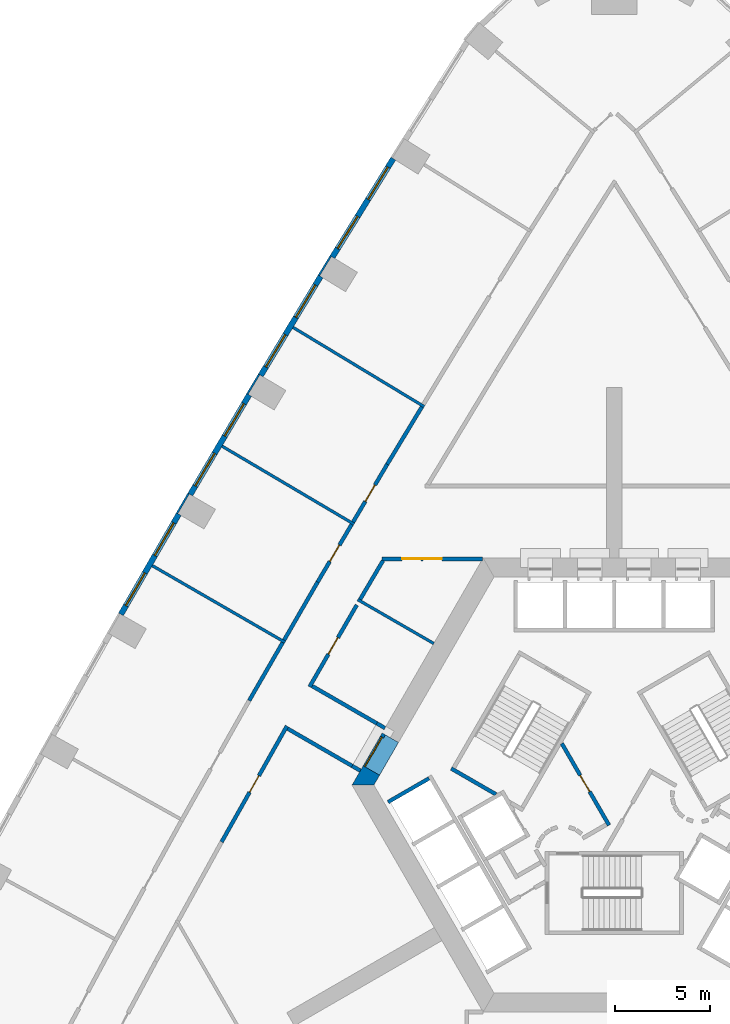
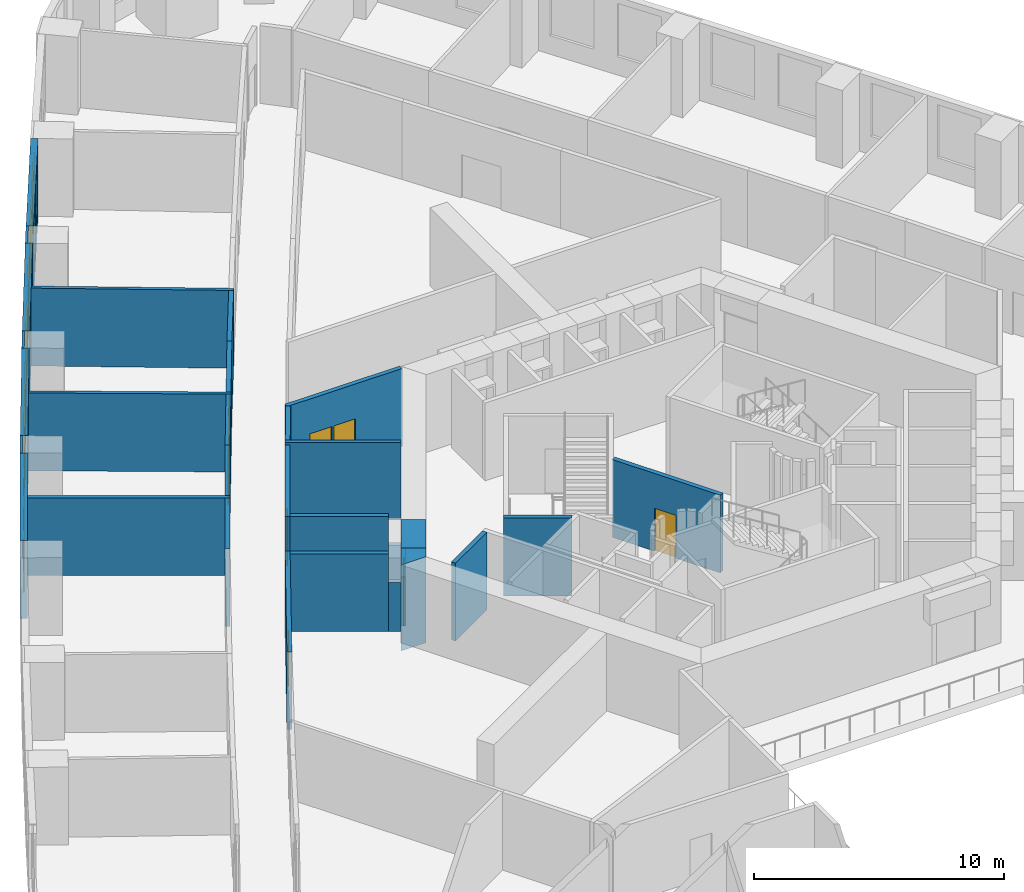
# One storey, part 8 of 15: 30 walls, 8 doors, 8 windows, 16 openings.
"""IFC4 building model written with IfcOpenShell, lengths in metres."""

from ifc_helpers import new_model, si_unit, direction, frame, frame_2d, origin, place, context, subcontext, project, spatial, polyline, rectangle, outline, extrude, material, layer, layer_set, type_object, element, fill, save


model = new_model("IFC4")

# Units and contexts
model_context = context("Model", 3, precision=1e-05, world=origin(), true_north=direction((0.0, 1.0)))
body_context = subcontext(model_context, "Body", "Model", "MODEL_VIEW")
ifc_project = project(units=[si_unit("LENGTHUNIT", "METRE"), si_unit("AREAUNIT", "SQUARE_METRE"), si_unit("VOLUMEUNIT", "CUBIC_METRE"), si_unit("PLANEANGLEUNIT", "RADIAN"), si_unit("MASSUNIT", "GRAM", prefix="KILO")], contexts=[model_context])

# Site, building, storey
site_placement = place(None, origin())
site = spatial("IfcSite", under=ifc_project, at=site_placement, CompositionType="ELEMENT")
building_placement = place(site_placement, origin())
building = spatial("IfcBuilding", under=site, at=building_placement, Name="Entoto Arch Interchange Tower", CompositionType="ELEMENT")
storey_placement = place(building_placement, frame((0.0, 0.0, 39.199951171875)))
storey = spatial("IfcBuildingStorey", under=building, at=storey_placement, Name="L07", CompositionType="ELEMENT", Elevation=39.199951171875)

# Wall, opening, door
ifc_material_1 = material(Name="Reinforced concrete C40/50", Category="concrete")
ifc_layer_1 = layer(ifc_material_1, 0.199951171875)
ifc_layer_set_1 = layer_set([ifc_layer_1], Name="Reinforced concrete C40/50")
wall_type_1 = type_object("IfcWallType", Name="CORE GAP INFILL WALL", PredefinedType="PARTITIONING", material=ifc_layer_set_1)
wall_1_placement = place(storey_placement, frame((-12.179931640625, 5.201904296875, 0.0), z_axis=(0.0, 0.0, 1.0), x_axis=(-0.50002537861, -0.866010750942, 0.0)))
wall_1 = element("IfcWall", 1, at=wall_1_placement, inside=storey, type_object=wall_type_1, Name="wall:L07:gap3", PredefinedType="PARTITIONING", context=body_context, shape_type="SweptSolid", body=[
    extrude(rectangle(XDim=2.0, YDim=0.199951171875, at=frame_2d((1.0, 0.0))), origin(), (0.0, 0.0, 1.0), 2.400146484375),
])
opening_1_placement = place(wall_1_placement, frame((0.18994140625, 0.0, 0.0)))
opening_1 = element("IfcOpeningElement", 2, at=opening_1_placement, cuts=wall_1, Name="Opening L07-D93", PredefinedType="OPENING", context=body_context, shape_type="SweptSolid", body=[
    extrude(rectangle(XDim=1.800048828125, YDim=2.10009765625, at=frame_2d((0.89990234375, 1.050048828125))), frame((0.0, 0.10986328125, 0.0), z_axis=(0.0, -1.0, 0.0), x_axis=(1.0, 0.0, 0.0)), (0.0, 0.0, 1.0), 0.219970703125),
])
ifc_material_2 = material(Name="Fire-rated Steel S235 door and frame", Category="steel")
door_type_1 = type_object("IfcDoorType", Name="DOOR FD-18 1800x2100", OperationType="DOUBLE_DOOR_SINGLE_SWING", PredefinedType="DOOR", material=ifc_material_2)
door_1_placement = place(opening_1_placement, origin())
door_1 = element("IfcDoor", 3, at=door_1_placement, inside=storey, type_object=door_type_1, Name="door:L07:gap3", OperationType="DOUBLE_DOOR_SINGLE_SWING", OverallHeight=2.10009765625, OverallWidth=1.800048828125, PredefinedType="DOOR", context=body_context, shape_type="SweptSolid", body=[
    extrude(rectangle(XDim=1.800048828125, YDim=2.10009765625, at=frame_2d((0.89990234375, 1.050048828125))), frame((0.0, 0.02490234375, 0.0), z_axis=(0.0, -1.0, 0.0), x_axis=(1.0, 0.0, 0.0)), (0.0, 0.0, 1.0), 0.050048828125),
])
fill(opening_1, door_1)

# Walls
ifc_material_3 = material(Name="Concrete C60/75", Category="concrete")
ifc_layer_2 = layer(ifc_material_3, 1.0)
ifc_layer_set_2 = layer_set([ifc_layer_2], Name="Concrete C60/75")
wall_type_2 = type_object("IfcWallType", Name="Core wall 1000 C60/75", PredefinedType="SHEAR", material=ifc_layer_set_2)
wall_2_placement = place(storey_placement, frame((0.0, 0.0, -0.39990234375)))
element("IfcWall", 4, at=wall_2_placement, inside=storey, type_object=wall_type_2, Name="Core wall NW L07", PredefinedType="SHEAR", context=body_context, shape_type="SweptSolid", body=[
    extrude(outline(polyline([(-12.402099609375, 3.02001953125), (-13.26708984375, 3.52001953125), (-13.85595703125, 2.5), (-12.701904296875, 2.5), (-12.402099609375, 3.02001953125)])), origin(), (0.0, 0.0, 1.0), 4.199951171875),
])
wall_3_placement = place(storey_placement, frame((0.0, 0.0, 3.60009765625)))
element("IfcWall", 5, at=wall_3_placement, inside=storey, type_object=wall_type_2, Name="Core wall lintel NW L07", PredefinedType="SHEAR", context=body_context, shape_type="SweptSolid", body=[
    extrude(outline(polyline([(-13.26708984375, 3.52001953125), (-12.402099609375, 3.02001953125), (-11.402099609375, 4.751953125), (-12.26708984375, 5.251953125), (-13.26708984375, 3.52001953125)])), origin(), (0.0, 0.0, 1.0), 0.199951171875),
])
ifc_material_4 = material(Name="Concrete C40/50", Category="concrete")
ifc_layer_3 = layer(ifc_material_4, 0.199951171875)
ifc_layer_set_3 = layer_set([ifc_layer_3], Name="Concrete C40/50")
wall_type_3 = type_object("IfcWallType", Name="LIFT SHAFT WALL 200", PredefinedType="STANDARD", material=ifc_layer_set_3)
wall_4_placement = place(storey_placement, frame((-9.7880859375, 2.85302734375, 0.0), z_axis=(0.0, 0.0, 1.0), x_axis=(-0.865998541277, -0.500046524342, 0.0)))
element("IfcWall", 6, at=wall_4_placement, inside=storey, type_object=wall_type_3, Name="Shaft wall SW3 cross 1", PredefinedType="STANDARD", context=body_context, shape_type="SweptSolid", body=[
    extrude(rectangle(XDim=2.499755859375, YDim=0.199951171875, at=frame_2d((1.25, 0.0))), origin(), (0.0, 0.0, 1.0), 3.800048828125),
])
ifc_material_5 = material(Name="Gypsum board partition on steel studs", Category="steel")
ifc_layer_4 = layer(ifc_material_5, 0.14990234375)
ifc_layer_set_4 = layer_set([ifc_layer_4], Name="Gypsum board partition on steel studs")
wall_type_4 = type_object("IfcWallType", Name="PARTITION 150", PredefinedType="PARTITIONING", material=ifc_layer_set_4)
wall_5_placement = place(storey_placement, frame((-13.553955078125, 12.300048828125, 0.0), z_axis=(0.0, 0.0, 1.0), x_axis=(0.866028685375, -0.499994316075, 0.0)))
element("IfcWall", 7, at=wall_5_placement, inside=storey, type_object=wall_type_4, Name="wall:L07:p084", PredefinedType="PARTITIONING", context=body_context, shape_type="SweptSolid", body=[
    extrude(rectangle(XDim=4.63818359375, YDim=0.14990234375, at=frame_2d((2.319091796875, 0.0))), origin(), (0.0, 0.0, 1.0), 3.800048828125),
])
wall_6_placement = place(storey_placement, frame((-10.0419921875, 22.4970703125, 0.0), z_axis=(0.0, 0.0, 1.0), x_axis=(-0.855818252, 0.517276637346, 0.0)))
element("IfcWall", 8, at=wall_6_placement, inside=storey, type_object=wall_type_4, Name="wall:L07:p138", PredefinedType="PARTITIONING", context=body_context, shape_type="SweptSolid", body=[
    extrude(rectangle(XDim=8.10009765625, YDim=0.14990234375, at=frame_2d((4.050048828125, 0.0))), origin(), (0.0, 0.0, 1.0), 3.800048828125),
])
wall_7_placement = place(storey_placement, frame((-13.751953125, 16.2890625, 0.0), z_axis=(0.0, 0.0, 1.0), x_axis=(-0.86093852802, 0.508709004216, 0.0)))
element("IfcWall", 9, at=wall_7_placement, inside=storey, type_object=wall_type_4, Name="wall:L07:p139", PredefinedType="PARTITIONING", context=body_context, shape_type="SweptSolid", body=[
    extrude(rectangle(XDim=8.1005859375, YDim=0.14990234375, at=frame_2d((4.05029296875, 0.0))), origin(), (0.0, 0.0, 1.0), 3.800048828125),
])
wall_8_placement = place(storey_placement, frame((-17.39892578125, 10.044921875, 0.0), z_axis=(0.0, 0.0, 1.0), x_axis=(-0.865980803489, 0.500077242023, 0.0)))
element("IfcWall", 10, at=wall_8_placement, inside=storey, type_object=wall_type_4, Name="wall:L07:p140", PredefinedType="PARTITIONING", context=body_context, shape_type="SweptSolid", body=[
    extrude(rectangle(XDim=8.100830078125, YDim=0.14990234375, at=frame_2d((4.05029296875, 0.0))), origin(), (0.0, 0.0, 1.0), 3.800048828125),
])

# Wall, opening, door
ifc_layer_5 = layer(ifc_material_5, 0.199951171875)
ifc_layer_set_5 = layer_set([ifc_layer_5], Name="Gypsum board partition on steel studs")
wall_type_5 = type_object("IfcWallType", Name="PARTITION 200", PredefinedType="PARTITIONING", material=ifc_layer_set_5)
wall_9_placement = place(storey_placement, frame((-13.60595703125, 12.01611328125, 0.0), z_axis=(0.0, 0.0, 1.0), x_axis=(-0.499992180995, -0.866029918042, 0.0)))
wall_9 = element("IfcWall", 11, at=wall_9_placement, inside=storey, type_object=wall_type_5, Name="wall:L07:p001", PredefinedType="PARTITIONING", context=body_context, shape_type="SweptSolid", body=[
    extrude(rectangle(XDim=4.98828125, YDim=0.199951171875, at=frame_2d((2.494140625, 0.0))), origin(), (0.0, 0.0, 1.0), 3.800048828125),
])
opening_2_placement = place(wall_9_placement, frame((1.993896484375, 0.0, 0.0)))
opening_2 = element("IfcOpeningElement", 12, at=opening_2_placement, cuts=wall_9, Name="Opening L07-D34", PredefinedType="OPENING", context=body_context, shape_type="SweptSolid", body=[
    extrude(rectangle(XDim=1.0, YDim=2.10009765625, at=frame_2d((0.5, 1.050048828125))), frame((0.0, 0.10986328125, 0.0), z_axis=(0.0, -1.0, 0.0), x_axis=(1.0, 0.0, 0.0)), (0.0, 0.0, 1.0), 0.219970703125),
])
ifc_material_6 = material(Name="Timber door leaf in Steel S235 frame", Category="steel")
door_type_2 = type_object("IfcDoorType", Name="DOOR DS-10 1000x2100", OperationType="SINGLE_SWING_LEFT", PredefinedType="DOOR", material=ifc_material_6)
door_2_placement = place(opening_2_placement, origin())
door_2 = element("IfcDoor", 13, at=door_2_placement, inside=storey, type_object=door_type_2, Name="door:L07:34", OperationType="SINGLE_SWING_LEFT", OverallHeight=2.10009765625, OverallWidth=1.0, PredefinedType="DOOR", context=body_context, shape_type="SweptSolid", body=[
    extrude(rectangle(XDim=1.0, YDim=2.10009765625, at=frame_2d((0.5, 1.050048828125))), frame((0.0, 0.02490234375, 0.0), z_axis=(0.0, -1.0, 0.0), x_axis=(1.0, 0.0, 0.0)), (0.0, 0.0, 1.0), 0.050048828125),
])
fill(opening_2, door_2)

# Walls
wall_10_placement = place(storey_placement, frame((-15.962890625, 7.73291015625, 0.0), z_axis=(0.0, 0.0, 1.0), x_axis=(0.865965832374, -0.500103166518, 0.0)))
element("IfcWall", 14, at=wall_10_placement, inside=storey, type_object=wall_type_5, Name="wall:L07:p002", PredefinedType="PARTITIONING", context=body_context, shape_type="SweptSolid", body=[
    extrude(rectangle(XDim=3.941162109375, YDim=0.199951171875, at=frame_2d((1.970703125, 0.0))), origin(), (0.0, 0.0, 1.0), 3.800048828125),
])
wall_11_placement = place(storey_placement, frame((-12.218017578125, 14.364013671875, 0.0), z_axis=(0.0, 0.0, 1.0), x_axis=(-0.508767325294, -0.860904064756, 0.0)))
element("IfcWall", 15, at=wall_11_placement, inside=storey, type_object=wall_type_5, Name="wall:L07:p003", PredefinedType="PARTITIONING", context=body_context, shape_type="SweptSolid", body=[
    extrude(rectangle(XDim=2.380126953125, YDim=0.199951171875, at=frame_2d((1.18994140625, 0.0))), origin(), (0.0, 0.0, 1.0), 3.800048828125),
])
wall_12_placement = place(storey_placement, frame((-17.260986328125, 5.47998046875, 0.0), z_axis=(0.0, 0.0, 1.0), x_axis=(0.865949187497, -0.500131987253, 0.0)))
element("IfcWall", 16, at=wall_12_placement, inside=storey, type_object=wall_type_5, Name="wall:L07:p025", PredefinedType="PARTITIONING", context=body_context, shape_type="SweptSolid", body=[
    extrude(rectangle(XDim=3.93896484375, YDim=0.199951171875, at=frame_2d((1.969482421875, 0.0))), origin(), (0.0, 0.0, 1.0), 3.800048828125),
])

# Wall, opening, door
wall_13_placement = place(storey_placement, frame((-17.299072265625, 5.616943359375, 0.0), z_axis=(0.0, 0.0, 1.0), x_axis=(-0.491166441632, -0.871065741844, 0.0)))
wall_13 = element("IfcWall", 17, at=wall_13_placement, inside=storey, type_object=wall_type_5, Name="wall:L07:p026", PredefinedType="PARTITIONING", context=body_context, shape_type="SweptSolid", body=[
    extrude(rectangle(XDim=7.028076171875, YDim=0.199951171875, at=frame_2d((3.51416015625, 0.0))), origin(), (0.0, 0.0, 1.0), 3.800048828125),
])
opening_3_placement = place(wall_13_placement, frame((3.013916015625, 0.0, 0.0)))
opening_3 = element("IfcOpeningElement", 18, at=opening_3_placement, cuts=wall_13, Name="Opening L07-D30", PredefinedType="OPENING", context=body_context, shape_type="SweptSolid", body=[
    extrude(rectangle(XDim=1.0, YDim=2.10009765625, at=frame_2d((0.5, 1.050048828125))), frame((0.0, 0.10986328125, 0.0), z_axis=(0.0, -1.0, 0.0), x_axis=(1.0, 0.0, 0.0)), (0.0, 0.0, 1.0), 0.219970703125),
])
door_3_placement = place(opening_3_placement, origin())
door_3 = element("IfcDoor", 19, at=door_3_placement, inside=storey, type_object=door_type_2, Name="door:L07:30", OperationType="SINGLE_SWING_RIGHT", OverallHeight=2.10009765625, OverallWidth=1.0, PredefinedType="DOOR", context=body_context, shape_type="SweptSolid", body=[
    extrude(rectangle(XDim=1.0, YDim=2.10009765625, at=frame_2d((0.5, 1.050048828125))), frame((0.0, 0.02490234375, 0.0), z_axis=(0.0, -1.0, 0.0), x_axis=(1.0, 0.0, 0.0)), (0.0, 0.0, 1.0), 0.050048828125),
])
fill(opening_3, door_3)

wall_14_placement = place(storey_placement, frame((-13.800048828125, 16.404052734375, 0.0), z_axis=(0.0, 0.0, 1.0), x_axis=(0.508666621784, 0.860963569428, 0.0)))
wall_14 = element("IfcWall", 20, at=wall_14_placement, inside=storey, type_object=wall_type_5, Name="wall:L07:p058", PredefinedType="PARTITIONING", context=body_context, shape_type="SweptSolid", body=[
    extrude(rectangle(XDim=3.54248046875, YDim=0.199951171875, at=frame_2d((1.771240234375, 0.0))), origin(), (0.0, 0.0, 1.0), 3.800048828125),
])
opening_4_placement = place(wall_14_placement, frame((1.27099609375, 0.0, 0.0)))
opening_4 = element("IfcOpeningElement", 21, at=opening_4_placement, cuts=wall_14, Name="Opening L07-D14", PredefinedType="OPENING", context=body_context, shape_type="SweptSolid", body=[
    extrude(rectangle(XDim=1.0, YDim=2.10009765625, at=frame_2d((0.5, 1.050048828125))), frame((0.0, 0.10986328125, 0.0), z_axis=(0.0, -1.0, 0.0), x_axis=(1.0, 0.0, 0.0)), (0.0, 0.0, 1.0), 0.219970703125),
])
door_4_placement = place(opening_4_placement, origin())
door_4 = element("IfcDoor", 22, at=door_4_placement, inside=storey, type_object=door_type_2, Name="door:L07:14", OperationType="SINGLE_SWING_LEFT", OverallHeight=2.10009765625, OverallWidth=1.0, PredefinedType="DOOR", context=body_context, shape_type="SweptSolid", body=[
    extrude(rectangle(XDim=1.0, YDim=2.10009765625, at=frame_2d((0.5, 1.050048828125))), frame((0.0, 0.02490234375, 0.0), z_axis=(0.0, -1.0, 0.0), x_axis=(1.0, 0.0, 0.0)), (0.0, 0.0, 1.0), 0.050048828125),
])
fill(opening_4, door_4)

# Walls
wall_15_placement = place(storey_placement, frame((-11.998046875, 19.4541015625, 0.0), z_axis=(0.0, 0.0, 1.0), x_axis=(0.51707881094, 0.85593779171, 0.0)))
element("IfcWall", 23, at=wall_15_placement, inside=storey, type_object=wall_type_5, Name="wall:L07:p059", PredefinedType="PARTITIONING", context=body_context, shape_type="SweptSolid", body=[
    extrude(rectangle(XDim=3.541259765625, YDim=0.199951171875, at=frame_2d((1.7705078125, 0.0))), origin(), (0.0, 0.0, 1.0), 3.800048828125),
])
wall_16_placement = place(storey_placement, frame((-17.447998046875, 10.159912109375, 0.0), z_axis=(0.0, 0.0, 1.0), x_axis=(0.499951278228, 0.866053531485, 0.0)))
element("IfcWall", 24, at=wall_16_placement, inside=storey, type_object=wall_type_5, Name="wall:L07:p060", PredefinedType="PARTITIONING", context=body_context, shape_type="SweptSolid", body=[
    extrude(rectangle(XDim=3.540283203125, YDim=0.199951171875, at=frame_2d((1.77001953125, 0.0))), origin(), (0.0, 0.0, 1.0), 3.800048828125),
])

# Wall, opening, door
wall_17_placement = place(storey_placement, frame((-15.677978515625, 13.22607421875, 0.0), z_axis=(0.0, 0.0, 1.0), x_axis=(0.508613166028, 0.860995149431, 0.0)))
wall_17 = element("IfcWall", 25, at=wall_17_placement, inside=storey, type_object=wall_type_5, Name="wall:L07:p061", PredefinedType="PARTITIONING", context=body_context, shape_type="SweptSolid", body=[
    extrude(rectangle(XDim=3.541015625, YDim=0.199951171875, at=frame_2d((1.7705078125, 0.0))), origin(), (0.0, 0.0, 1.0), 3.800048828125),
])
opening_5_placement = place(wall_17_placement, frame((1.27099609375, 0.0, 0.0)))
opening_5 = element("IfcOpeningElement", 26, at=opening_5_placement, cuts=wall_17, Name="Opening L07-D15", PredefinedType="OPENING", context=body_context, shape_type="SweptSolid", body=[
    extrude(rectangle(XDim=1.0, YDim=2.10009765625, at=frame_2d((0.5, 1.050048828125))), frame((0.0, 0.10986328125, 0.0), z_axis=(0.0, -1.0, 0.0), x_axis=(1.0, 0.0, 0.0)), (0.0, 0.0, 1.0), 0.219970703125),
])
door_5_placement = place(opening_5_placement, origin())
door_5 = element("IfcDoor", 27, at=door_5_placement, inside=storey, type_object=door_type_2, Name="door:L07:15", OperationType="SINGLE_SWING_LEFT", OverallHeight=2.10009765625, OverallWidth=1.0, PredefinedType="DOOR", context=body_context, shape_type="SweptSolid", body=[
    extrude(rectangle(XDim=1.0, YDim=2.10009765625, at=frame_2d((0.5, 1.050048828125))), frame((0.0, 0.02490234375, 0.0), z_axis=(0.0, -1.0, 0.0), x_axis=(1.0, 0.0, 0.0)), (0.0, 0.0, 1.0), 0.050048828125),
])
fill(opening_5, door_5)

# Wall
wall_18_placement = place(storey_placement, frame((-19.2939453125, 6.964111328125, 0.0), z_axis=(0.0, 0.0, 1.0), x_axis=(0.499861717316, 0.86610522661, 0.0)))
element("IfcWall", 28, at=wall_18_placement, inside=storey, type_object=wall_type_5, Name="wall:L07:p063", PredefinedType="PARTITIONING", context=body_context, shape_type="SweptSolid", body=[
    extrude(rectangle(XDim=3.541015625, YDim=0.199951171875, at=frame_2d((1.7705078125, 0.0))), origin(), (0.0, 0.0, 1.0), 3.800048828125),
])

# Wall, openings, doors
wall_19_placement = place(storey_placement, frame((-6.95703125, 14.449951171875, 0.0), z_axis=(0.0, 0.0, 1.0), x_axis=(-1.0, 0.0, 0.0)))
wall_19 = element("IfcWall", 29, at=wall_19_placement, inside=storey, type_object=wall_type_5, Name="wall:L07:p085", PredefinedType="PARTITIONING", context=body_context, shape_type="SweptSolid", body=[
    extrude(rectangle(XDim=5.31005859375, YDim=0.199951171875, at=frame_2d((2.655029296875, 0.0))), origin(), (0.0, 0.0, 1.0), 3.800048828125),
])
opening_6_placement = place(wall_19_placement, frame((2.155029296875, 0.0, 0.0)))
opening_6 = element("IfcOpeningElement", 30, at=opening_6_placement, cuts=wall_19, Name="Opening L07-D35", PredefinedType="OPENING", context=body_context, shape_type="SweptSolid", body=[
    extrude(rectangle(XDim=1.0, YDim=2.10009765625, at=frame_2d((0.5, 1.050048828125))), frame((0.0, 0.10986328125, 0.0), z_axis=(0.0, -1.0, 0.0), x_axis=(1.0, 0.0, 0.0)), (0.0, 0.0, 1.0), 0.219970703125),
])
opening_7_placement = place(wall_19_placement, frame((3.2548828125, 0.0, 0.0)))
opening_7 = element("IfcOpeningElement", 31, at=opening_7_placement, cuts=wall_19, Name="Opening L07-D43", PredefinedType="OPENING", context=body_context, shape_type="SweptSolid", body=[
    extrude(rectangle(XDim=1.0, YDim=2.10009765625, at=frame_2d((0.5, 1.050048828125))), frame((0.0, 0.10986328125, 0.0), z_axis=(0.0, -1.0, 0.0), x_axis=(1.0, 0.0, 0.0)), (0.0, 0.0, 1.0), 0.219970703125),
])
door_6_placement = place(opening_6_placement, origin())
door_6 = element("IfcDoor", 32, at=door_6_placement, inside=storey, type_object=door_type_2, Name="door:L07:35", OperationType="SINGLE_SWING_LEFT", OverallHeight=2.10009765625, OverallWidth=1.0, PredefinedType="DOOR", context=body_context, shape_type="SweptSolid", body=[
    extrude(rectangle(XDim=1.0, YDim=2.10009765625, at=frame_2d((0.5, 1.050048828125))), frame((0.0, 0.02490234375, 0.0), z_axis=(0.0, -1.0, 0.0), x_axis=(1.0, 0.0, 0.0)), (0.0, 0.0, 1.0), 0.050048828125),
])
fill(opening_6, door_6)
door_7_placement = place(opening_7_placement, origin())
door_7 = element("IfcDoor", 33, at=door_7_placement, inside=storey, type_object=door_type_2, Name="door:L07:43", OperationType="SINGLE_SWING_RIGHT", OverallHeight=2.10009765625, OverallWidth=1.0, PredefinedType="DOOR", context=body_context, shape_type="SweptSolid", body=[
    extrude(rectangle(XDim=1.0, YDim=2.10009765625, at=frame_2d((0.5, 1.050048828125))), frame((0.0, 0.02490234375, 0.0), z_axis=(0.0, -1.0, 0.0), x_axis=(1.0, 0.0, 0.0)), (0.0, 0.0, 1.0), 0.050048828125),
])
fill(opening_7, door_7)

# Wall, opening, door
wall_20_placement = place(storey_placement, frame((-2.77099609375, 4.699951171875, 0.0), z_axis=(0.0, 0.0, 1.0), x_axis=(0.499969479948, -0.866043023828, 0.0)))
wall_20 = element("IfcWall", 34, at=wall_20_placement, inside=storey, type_object=wall_type_5, Name="wall:L07:p096", PredefinedType="PARTITIONING", context=body_context, shape_type="SweptSolid", body=[
    extrude(rectangle(XDim=4.990478515625, YDim=0.199951171875, at=frame_2d((2.4951171875, 0.0))), origin(), (0.0, 0.0, 1.0), 3.800048828125),
])
opening_8_placement = place(wall_20_placement, frame((1.945068359375, 0.0, 0.0)))
opening_8 = element("IfcOpeningElement", 35, at=opening_8_placement, cuts=wall_20, Name="Opening L07-D39", PredefinedType="OPENING", context=body_context, shape_type="SweptSolid", body=[
    extrude(rectangle(XDim=1.0, YDim=2.10009765625, at=frame_2d((0.5, 1.050048828125))), frame((0.0, 0.10986328125, 0.0), z_axis=(0.0, -1.0, 0.0), x_axis=(1.0, 0.0, 0.0)), (0.0, 0.0, 1.0), 0.219970703125),
])
door_type_3 = type_object("IfcDoorType", Name="DOOR FD-10 1000x2100", OperationType="SINGLE_SWING_LEFT", PredefinedType="DOOR", material=ifc_material_2)
door_8_placement = place(opening_8_placement, origin())
door_8 = element("IfcDoor", 36, at=door_8_placement, inside=storey, type_object=door_type_3, Name="door:L07:39", OperationType="SINGLE_SWING_RIGHT", OverallHeight=2.10009765625, OverallWidth=1.0, PredefinedType="DOOR", context=body_context, shape_type="SweptSolid", body=[
    extrude(rectangle(XDim=1.0, YDim=2.10009765625, at=frame_2d((0.5, 1.050048828125))), frame((0.0, 0.02490234375, 0.0), z_axis=(0.0, -1.0, 0.0), x_axis=(1.0, 0.0, 0.0)), (0.0, 0.0, 1.0), 0.050048828125),
])
fill(opening_8, door_8)

# Walls
for number, where, z_axis, x_axis, name in (
    (37, (-12.550048828125, 5.761962890625, 0.0), (0.0, 0.0, 1.0), (0.866071776036, -0.499919672301, 0.0), "wall:L07:p002"),
    (38, (-13.85009765625, 3.510009765625, 0.0), (0.0, 0.0, 1.0), (0.866071776036, -0.499919672301, 0.0), "wall:L07:p025"),
):
    element("IfcWall", number, at=place(storey_placement, frame(where, z_axis=z_axis, x_axis=x_axis)), inside=storey, type_object=wall_type_5, Name=name, PredefinedType="PARTITIONING", context=body_context, shape_type="SweptSolid", body=[
        extrude(rectangle(XDim=0.5, YDim=0.199951171875, at=frame_2d((0.25, 0.0))), origin(), (0.0, 0.0, 1.0), 2.400146484375),
    ])
ifc_layer_6 = layer(ifc_material_4, 0.199951171875)
ifc_layer_set_6 = layer_set([ifc_layer_6], Name="Concrete C40/50")
wall_type_6 = type_object("IfcWallType", Name="STAIR ENCLOSURE WALL 200", PredefinedType="STANDARD", material=ifc_layer_set_6)
wall_21_placement = place(storey_placement, frame((-6.25, 2.010009765625, 0.0), z_axis=(0.0, 0.0, 1.0), x_axis=(-0.86611865017, 0.499838457731, 0.0)))
element("IfcWall", 39, at=wall_21_placement, inside=storey, type_object=wall_type_6, Name="Stair wall ST-NW far", PredefinedType="STANDARD", context=body_context, shape_type="SweptSolid", body=[
    extrude(rectangle(XDim=2.73291015625, YDim=0.199951171875, at=frame_2d((1.366455078125, 0.0))), origin(), (0.0, 0.0, 1.0), 3.800048828125),
])

# Wall, openings, windows
ifc_material_7 = material(Name="Welded tuff (ignimbrite) cladding, warm buff", Category="masonry")
ifc_layer_7 = layer(ifc_material_7, 0.300048828125)
ifc_layer_set_7 = layer_set([ifc_layer_7], Name="Welded tuff (ignimbrite) cladding, warm buff")
wall_type_7 = type_object("IfcWallType", Name="STONE INFILL WALL 300", PredefinedType="STANDARD", material=ifc_layer_set_7)
wall_22_placement = place(storey_placement, frame((-11.679931640625, 35.60693359375, 0.0), z_axis=(0.0, 0.0, 1.0), x_axis=(-0.525791118496, -0.850613719447, 0.0)))
wall_22 = element("IfcWall", 40, at=wall_22_placement, inside=storey, type_object=wall_type_7, Name="Facade wall NW-02 L07", PredefinedType="STANDARD", context=body_context, shape_type="SweptSolid", body=[
    extrude(rectangle(XDim=6.11669921875, YDim=0.300048828125, at=frame_2d((3.058349609375, 0.0))), origin(), (0.0, 0.0, 1.0), 3.800048828125),
])
opening_9_placement = place(wall_22_placement, frame((0.529052734375, 0.0, 0.89990234375)))
opening_9 = element("IfcOpeningElement", 41, at=opening_9_placement, cuts=wall_22, Name="Opening WO-C", PredefinedType="OPENING", context=body_context, shape_type="SweptSolid", body=[
    extrude(rectangle(XDim=2.0, YDim=2.60009765625, at=frame_2d((1.0, 1.300048828125))), frame((0.0, 0.16015625, 0.0), z_axis=(0.0, -1.0, 0.0), x_axis=(1.0, 0.0, 0.0)), (0.0, 0.0, 1.0), 0.320068359375),
])
opening_10_placement = place(wall_22_placement, frame((3.587890625, 0.0, 0.89990234375)))
opening_10 = element("IfcOpeningElement", 42, at=opening_10_placement, cuts=wall_22, Name="Opening WO-C", PredefinedType="OPENING", context=body_context, shape_type="SweptSolid", body=[
    extrude(rectangle(XDim=2.0, YDim=2.60009765625, at=frame_2d((1.0, 1.300048828125))), frame((0.0, 0.16015625, 0.0), z_axis=(0.0, -1.0, 0.0), x_axis=(1.0, 0.0, 0.0)), (0.0, 0.0, 1.0), 0.320068359375),
])
ifc_material_8 = material(Name="Clear glass, low-e double glazed", Category="glass")
window_type = type_object("IfcWindowType", Name="WINDOW WO-C 2000x2600", PartitioningType="DOUBLE_PANEL_VERTICAL", PredefinedType="WINDOW", material=ifc_material_8)
window_1_placement = place(opening_9_placement, origin())
window_1 = element("IfcWindow", 43, at=window_1_placement, inside=storey, type_object=window_type, Name="Window WO-C NW-02 L07", OverallHeight=2.60009765625, OverallWidth=2.0, PartitioningType="SINGLE_PANEL", PredefinedType="WINDOW", context=body_context, shape_type="SweptSolid", body=[
    extrude(rectangle(XDim=2.0, YDim=2.60009765625, at=frame_2d((1.0, 1.300048828125))), frame((0.0, 0.030029296875, 0.0), z_axis=(0.0, -1.0, 0.0), x_axis=(1.0, 0.0, 0.0)), (0.0, 0.0, 1.0), 0.06005859375),
])
fill(opening_9, window_1)
window_2_placement = place(opening_10_placement, origin())
window_2 = element("IfcWindow", 44, at=window_2_placement, inside=storey, type_object=window_type, Name="Window WO-C NW-02 L07", OverallHeight=2.60009765625, OverallWidth=2.0, PartitioningType="SINGLE_PANEL", PredefinedType="WINDOW", context=body_context, shape_type="SweptSolid", body=[
    extrude(rectangle(XDim=2.0, YDim=2.60009765625, at=frame_2d((1.0, 1.300048828125))), frame((0.0, 0.030029296875, 0.0), z_axis=(0.0, -1.0, 0.0), x_axis=(1.0, 0.0, 0.0)), (0.0, 0.0, 1.0), 0.06005859375),
])
fill(opening_10, window_2)

wall_23_placement = place(storey_placement, frame((-15.52099609375, 29.382080078125, 0.0), z_axis=(0.0, 0.0, 1.0), x_axis=(-0.517211293816, -0.855857743757, 0.0)))
wall_23 = element("IfcWall", 45, at=wall_23_placement, inside=storey, type_object=wall_type_7, Name="Facade wall NW-03 L07", PredefinedType="STANDARD", context=body_context, shape_type="SweptSolid", body=[
    extrude(rectangle(XDim=6.11572265625, YDim=0.300048828125, at=frame_2d((3.057861328125, 0.0))), origin(), (0.0, 0.0, 1.0), 3.800048828125),
])
opening_11_placement = place(wall_23_placement, frame((0.529052734375, 0.0, 0.89990234375)))
opening_11 = element("IfcOpeningElement", 46, at=opening_11_placement, cuts=wall_23, Name="Opening WO-C", PredefinedType="OPENING", context=body_context, shape_type="SweptSolid", body=[
    extrude(rectangle(XDim=2.0, YDim=2.60009765625, at=frame_2d((1.0, 1.300048828125))), frame((0.0, 0.16015625, 0.0), z_axis=(0.0, -1.0, 0.0), x_axis=(1.0, 0.0, 0.0)), (0.0, 0.0, 1.0), 0.320068359375),
])
opening_12_placement = place(wall_23_placement, frame((3.5869140625, 0.0, 0.89990234375)))
opening_12 = element("IfcOpeningElement", 47, at=opening_12_placement, cuts=wall_23, Name="Opening WO-C", PredefinedType="OPENING", context=body_context, shape_type="SweptSolid", body=[
    extrude(rectangle(XDim=2.0, YDim=2.60009765625, at=frame_2d((1.0, 1.300048828125))), frame((0.0, 0.16015625, 0.0), z_axis=(0.0, -1.0, 0.0), x_axis=(1.0, 0.0, 0.0)), (0.0, 0.0, 1.0), 0.320068359375),
])
window_3_placement = place(opening_11_placement, origin())
window_3 = element("IfcWindow", 48, at=window_3_placement, inside=storey, type_object=window_type, Name="Window WO-C NW-03 L07", OverallHeight=2.60009765625, OverallWidth=2.0, PartitioningType="SINGLE_PANEL", PredefinedType="WINDOW", context=body_context, shape_type="SweptSolid", body=[
    extrude(rectangle(XDim=2.0, YDim=2.60009765625, at=frame_2d((1.0, 1.300048828125))), frame((0.0, 0.030029296875, 0.0), z_axis=(0.0, -1.0, 0.0), x_axis=(1.0, 0.0, 0.0)), (0.0, 0.0, 1.0), 0.06005859375),
])
fill(opening_11, window_3)
window_4_placement = place(opening_12_placement, origin())
window_4 = element("IfcWindow", 49, at=window_4_placement, inside=storey, type_object=window_type, Name="Window WO-C NW-03 L07", OverallHeight=2.60009765625, OverallWidth=2.0, PartitioningType="SINGLE_PANEL", PredefinedType="WINDOW", context=body_context, shape_type="SweptSolid", body=[
    extrude(rectangle(XDim=2.0, YDim=2.60009765625, at=frame_2d((1.0, 1.300048828125))), frame((0.0, 0.030029296875, 0.0), z_axis=(0.0, -1.0, 0.0), x_axis=(1.0, 0.0, 0.0)), (0.0, 0.0, 1.0), 0.06005859375),
])
fill(opening_12, window_4)

wall_24_placement = place(storey_placement, frame((-19.299072265625, 23.118896484375, 0.0), z_axis=(0.0, 0.0, 1.0), x_axis=(-0.508749483145, -0.860914608658, 0.0)))
wall_24 = element("IfcWall", 50, at=wall_24_placement, inside=storey, type_object=wall_type_7, Name="Facade wall NW-04 L07", PredefinedType="STANDARD", context=body_context, shape_type="SweptSolid", body=[
    extrude(rectangle(XDim=6.11669921875, YDim=0.300048828125, at=frame_2d((3.058349609375, 0.0))), origin(), (0.0, 0.0, 1.0), 3.800048828125),
])
opening_13_placement = place(wall_24_placement, frame((0.529052734375, 0.0, 0.89990234375)))
opening_13 = element("IfcOpeningElement", 51, at=opening_13_placement, cuts=wall_24, Name="Opening WO-C", PredefinedType="OPENING", context=body_context, shape_type="SweptSolid", body=[
    extrude(rectangle(XDim=2.0, YDim=2.60009765625, at=frame_2d((1.0, 1.300048828125))), frame((0.0, 0.16015625, 0.0), z_axis=(0.0, -1.0, 0.0), x_axis=(1.0, 0.0, 0.0)), (0.0, 0.0, 1.0), 0.320068359375),
])
opening_14_placement = place(wall_24_placement, frame((3.587890625, 0.0, 0.89990234375)))
opening_14 = element("IfcOpeningElement", 52, at=opening_14_placement, cuts=wall_24, Name="Opening WO-C", PredefinedType="OPENING", context=body_context, shape_type="SweptSolid", body=[
    extrude(rectangle(XDim=2.0, YDim=2.60009765625, at=frame_2d((1.0, 1.300048828125))), frame((0.0, 0.16015625, 0.0), z_axis=(0.0, -1.0, 0.0), x_axis=(1.0, 0.0, 0.0)), (0.0, 0.0, 1.0), 0.320068359375),
])
window_5_placement = place(opening_13_placement, origin())
window_5 = element("IfcWindow", 53, at=window_5_placement, inside=storey, type_object=window_type, Name="Window WO-C NW-04 L07", OverallHeight=2.60009765625, OverallWidth=2.0, PartitioningType="SINGLE_PANEL", PredefinedType="WINDOW", context=body_context, shape_type="SweptSolid", body=[
    extrude(rectangle(XDim=2.0, YDim=2.60009765625, at=frame_2d((1.0, 1.300048828125))), frame((0.0, 0.030029296875, 0.0), z_axis=(0.0, -1.0, 0.0), x_axis=(1.0, 0.0, 0.0)), (0.0, 0.0, 1.0), 0.06005859375),
])
fill(opening_13, window_5)
window_6_placement = place(opening_14_placement, origin())
window_6 = element("IfcWindow", 54, at=window_6_placement, inside=storey, type_object=window_type, Name="Window WO-C NW-04 L07", OverallHeight=2.60009765625, OverallWidth=2.0, PartitioningType="SINGLE_PANEL", PredefinedType="WINDOW", context=body_context, shape_type="SweptSolid", body=[
    extrude(rectangle(XDim=2.0, YDim=2.60009765625, at=frame_2d((1.0, 1.300048828125))), frame((0.0, 0.030029296875, 0.0), z_axis=(0.0, -1.0, 0.0), x_axis=(1.0, 0.0, 0.0)), (0.0, 0.0, 1.0), 0.06005859375),
])
fill(opening_14, window_6)

wall_25_placement = place(storey_placement, frame((-23.014892578125, 16.819091796875, 0.0), z_axis=(0.0, 0.0, 1.0), x_axis=(-0.499976985038, -0.866038691071, 0.0)))
wall_25 = element("IfcWall", 55, at=wall_25_placement, inside=storey, type_object=wall_type_7, Name="Facade wall NW-05 L07", PredefinedType="STANDARD", context=body_context, shape_type="SweptSolid", body=[
    extrude(rectangle(XDim=6.116455078125, YDim=0.300048828125, at=frame_2d((3.05810546875, 0.0))), origin(), (0.0, 0.0, 1.0), 3.800048828125),
])
opening_15_placement = place(wall_25_placement, frame((0.529052734375, 0.0, 0.89990234375)))
opening_15 = element("IfcOpeningElement", 56, at=opening_15_placement, cuts=wall_25, Name="Opening WO-C", PredefinedType="OPENING", context=body_context, shape_type="SweptSolid", body=[
    extrude(rectangle(XDim=2.0, YDim=2.60009765625, at=frame_2d((1.0, 1.300048828125))), frame((0.0, 0.16015625, 0.0), z_axis=(0.0, -1.0, 0.0), x_axis=(1.0, 0.0, 0.0)), (0.0, 0.0, 1.0), 0.320068359375),
])
opening_16_placement = place(wall_25_placement, frame((3.5869140625, 0.0, 0.89990234375)))
opening_16 = element("IfcOpeningElement", 57, at=opening_16_placement, cuts=wall_25, Name="Opening WO-C", PredefinedType="OPENING", context=body_context, shape_type="SweptSolid", body=[
    extrude(rectangle(XDim=2.0, YDim=2.60009765625, at=frame_2d((1.0, 1.300048828125))), frame((0.0, 0.16015625, 0.0), z_axis=(0.0, -1.0, 0.0), x_axis=(1.0, 0.0, 0.0)), (0.0, 0.0, 1.0), 0.320068359375),
])
window_7_placement = place(opening_15_placement, origin())
window_7 = element("IfcWindow", 58, at=window_7_placement, inside=storey, type_object=window_type, Name="Window WO-C NW-05 L07", OverallHeight=2.60009765625, OverallWidth=2.0, PartitioningType="SINGLE_PANEL", PredefinedType="WINDOW", context=body_context, shape_type="SweptSolid", body=[
    extrude(rectangle(XDim=2.0, YDim=2.60009765625, at=frame_2d((1.0, 1.300048828125))), frame((0.0, 0.030029296875, 0.0), z_axis=(0.0, -1.0, 0.0), x_axis=(1.0, 0.0, 0.0)), (0.0, 0.0, 1.0), 0.06005859375),
])
fill(opening_15, window_7)
window_8_placement = place(opening_16_placement, origin())
window_8 = element("IfcWindow", 59, at=window_8_placement, inside=storey, type_object=window_type, Name="Window WO-C NW-05 L07", OverallHeight=2.60009765625, OverallWidth=2.0, PartitioningType="SINGLE_PANEL", PredefinedType="WINDOW", context=body_context, shape_type="SweptSolid", body=[
    extrude(rectangle(XDim=2.0, YDim=2.60009765625, at=frame_2d((1.0, 1.300048828125))), frame((0.0, 0.030029296875, 0.0), z_axis=(0.0, -1.0, 0.0), x_axis=(1.0, 0.0, 0.0)), (0.0, 0.0, 1.0), 0.06005859375),
])
fill(opening_16, window_8)

# Walls
ifc_layer_8 = layer(ifc_material_7, 0.10009765625)
ifc_layer_set_8 = layer_set([ifc_layer_8], Name="Welded tuff (ignimbrite) cladding, warm buff")
wall_type_8 = type_object("IfcWallType", Name="STONE PIER CLADDING 100", PredefinedType="STANDARD", material=ifc_layer_set_8)
for number, where, z_axis, x_axis, name in (
    (60, (-14.98291015625, 30.458984375, 0.0), (0.0, 0.0, 1.0), (-0.521598117945, -0.853191305251, 0.0), "Stone pier NW03 L07"),
    (61, (-18.77197265625, 24.200927734375, 0.0), (0.0, 0.0, 1.0), (-0.513238760752, -0.858245870635, 0.0), "Stone pier NW04 L07"),
):
    element("IfcWall", number, at=place(storey_placement, frame(where, z_axis=z_axis, x_axis=x_axis)), inside=storey, type_object=wall_type_8, Name=name, PredefinedType="STANDARD", context=body_context, shape_type="SweptSolid", body=[
        extrude(rectangle(XDim=1.2001953125, YDim=0.10009765625, at=frame_2d((0.60009765625, 0.0))), origin(), (0.0, 0.0, 1.0), 3.800048828125),
    ])
wall_26_placement = place(storey_placement, frame((-22.4990234375, 17.906005859375, 0.0), z_axis=(0.0, 0.0, 1.0), x_axis=(-0.504313844903, -0.863520437418, 0.0)))
element("IfcWall", 62, at=wall_26_placement, inside=storey, type_object=wall_type_8, Name="Stone pier NW05 L07", PredefinedType="STANDARD", context=body_context, shape_type="SweptSolid", body=[
    extrude(rectangle(XDim=1.19970703125, YDim=0.10009765625, at=frame_2d((0.599853515625, 0.0))), origin(), (0.0, 0.0, 1.0), 3.800048828125),
])

save(model, "model.ifc")
